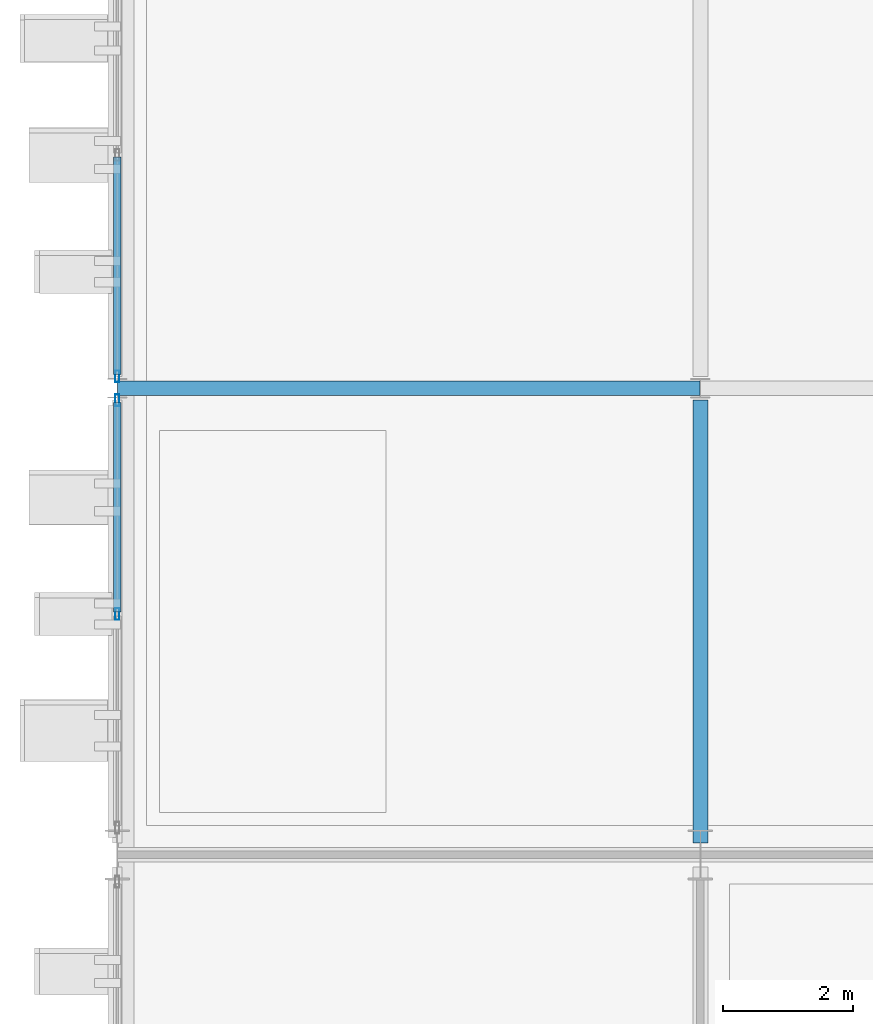
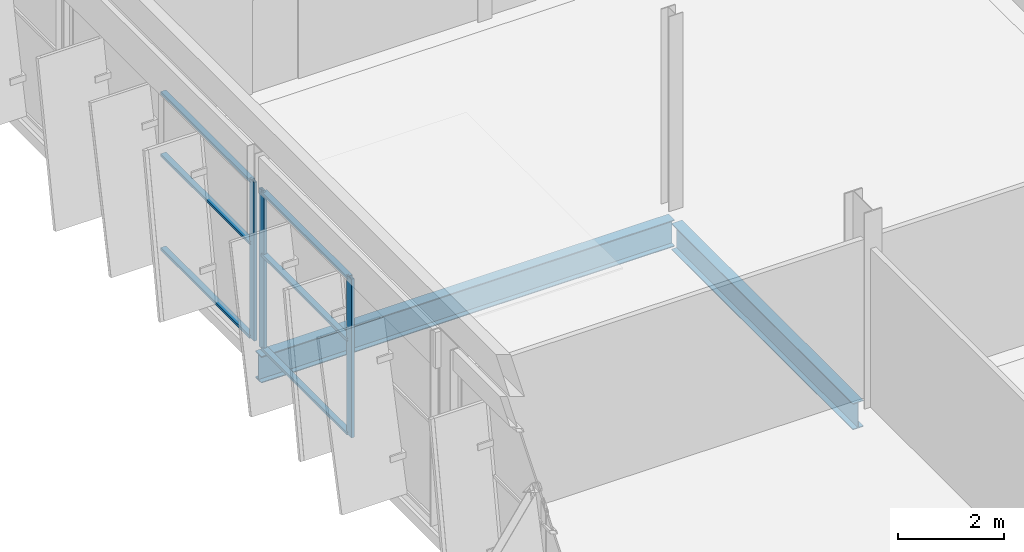
# One storey, part 11 of 52: 9 members, 2 beams, 2 elements without a shape of their own.
"""IFC4 building model written with IfcOpenShell, lengths in metres."""

from ifc_helpers import new_model, si_unit, direction, frame, origin, origin_2d, place, context, subcontext, project, spatial, hollow_rectangle, i_section, extrude, material, layer, layer_set, material_profile, profile_set, type_object, element, aggregate, save


model = new_model("IFC4")

# Units and contexts
model_context = context("Model", 3, precision=1e-05, world=origin(), true_north=direction((0.0, 1.0)))
body_context = subcontext(model_context, "Body", "Model", "MODEL_VIEW")
ifc_project = project(units=[si_unit("LENGTHUNIT", "METRE"), si_unit("AREAUNIT", "SQUARE_METRE"), si_unit("VOLUMEUNIT", "CUBIC_METRE"), si_unit("PLANEANGLEUNIT", "RADIAN"), si_unit("MASSUNIT", "GRAM", prefix="KILO")], contexts=[model_context])

# Site, building, storey
site_placement = place(None, origin())
site = spatial("IfcSite", under=ifc_project, at=site_placement, CompositionType="ELEMENT")
building_placement = place(site_placement, origin())
building = spatial("IfcBuilding", under=site, at=building_placement, Name="Celestram Park Convention Centre", CompositionType="ELEMENT")
storey_placement = place(building_placement, frame((0.0, 0.0, 24.300048828125)))
storey = spatial("IfcBuildingStorey", under=building, at=storey_placement, Name="L05", CompositionType="ELEMENT", Elevation=24.300048828125)

# Curtain wall, members
ifc_material_1 = material(Name="Anodised Aluminium Alloy 6063-T6", Category="aluminium")
ifc_layer_1 = layer(ifc_material_1, 0.179931640625)
ifc_layer_set_1 = layer_set([ifc_layer_1], Name="Anodised Aluminium Alloy 6063-T6")
curtain_wall_type_1 = type_object("IfcCurtainWallType", Name="ARC-CW-666X365", PredefinedType="NOTDEFINED", material=ifc_layer_set_1)
curtain_wall_1_placement = place(storey_placement, origin())
curtain_wall_1 = element("IfcCurtainWall", 1, at=curtain_wall_1_placement, inside=storey, type_object=curtain_wall_type_1, Name="Unitised curtain wall CU-L05-246", PredefinedType="NOTDEFINED")
ifc_material_profile_1 = material_profile(ifc_material_1, hollow_rectangle(XDim=0.06494140625, YDim=0.179931640625, WallThickness=0.00390625, at=origin_2d()), Name="ALU65X180X4")
ifc_profile_set_1 = profile_set([ifc_material_profile_1], Name="Anodised Aluminium Alloy 6063-T6")
member_type_1 = type_object("IfcMemberType", Name="ARC-CWM-150", PredefinedType="MULLION", material=ifc_profile_set_1)
member_1_placement = place(storey_placement, frame((36.0, 133.316162109375, 0.0), z_axis=(0.0, 0.0, 1.0), x_axis=(-1.0, 0.0, 0.0)))
member_1 = element("IfcMember", 2, at=member_1_placement, type_object=member_type_1, Name="CW-66X36 mullion 2", PredefinedType="MULLION", context=body_context, shape_type="SweptSolid", body=[
    extrude(hollow_rectangle(XDim=0.06494140625, YDim=0.179931640625, WallThickness=0.00390625, at=origin_2d()), origin(), (0.0, 0.0, 1.0), 3.64794921875),
])
member_2_placement = place(storey_placement, frame((36.0, 136.615966796875, 0.0), z_axis=(0.0, 0.0, 1.0), x_axis=(-1.0, 0.0, 0.0)))
member_2 = element("IfcMember", 3, at=member_2_placement, type_object=member_type_1, Name="CW-66X36 mullion 3", PredefinedType="MULLION", context=body_context, shape_type="SweptSolid", body=[
    extrude(hollow_rectangle(XDim=0.06494140625, YDim=0.179931640625, WallThickness=0.00390625, at=origin_2d()), origin(), (0.0, 0.0, 1.0), 3.64794921875),
])

# Curtain wall, member
ifc_layer_2 = layer(ifc_material_1, 0.179931640625)
ifc_layer_set_2 = layer_set([ifc_layer_2], Name="Anodised Aluminium Alloy 6063-T6")
curtain_wall_type_2 = type_object("IfcCurtainWallType", Name="ARC-CW-690X365", PredefinedType="NOTDEFINED", material=ifc_layer_set_2)
curtain_wall_2_placement = place(storey_placement, origin())
curtain_wall_2 = element("IfcCurtainWall", 4, at=curtain_wall_2_placement, inside=storey, type_object=curtain_wall_type_2, Name="Unitised curtain wall CU-L05-247", PredefinedType="NOTDEFINED")
member_3_placement = place(storey_placement, frame((36.0, 136.98388671875, 0.0), z_axis=(0.0, 0.0, 1.0), x_axis=(-1.0, 0.0, 0.0)))
member_3 = element("IfcMember", 5, at=member_3_placement, type_object=member_type_1, Name="CW-69X36 mullion 1", PredefinedType="MULLION", context=body_context, shape_type="SweptSolid", body=[
    extrude(hollow_rectangle(XDim=0.06494140625, YDim=0.179931640625, WallThickness=0.00390625, at=origin_2d()), origin(), (0.0, 0.0, 1.0), 3.64794921875),
])

# Member
ifc_material_profile_2 = material_profile(ifc_material_1, hollow_rectangle(XDim=0.1201171875, YDim=0.06005859375, WallThickness=0.0029296875, at=origin_2d()), Name="ALU120X60X3")
ifc_profile_set_2 = profile_set([ifc_material_profile_2], Name="Anodised Aluminium Alloy 6063-T6")
member_type_2 = type_object("IfcMemberType", Name="ARC-CWT-120", PredefinedType="USERDEFINED", material=ifc_profile_set_2)
member_4_placement = place(storey_placement, frame((36.0, 133.3486328125, 0.030029296875), z_axis=(0.0, 1.0, 0.0), x_axis=(-1.0, 0.0, 0.0)))
member_4 = element("IfcMember", 6, at=member_4_placement, type_object=member_type_2, Name="CW-66X36 transom 2.1", ObjectType="TRANSOM", PredefinedType="USERDEFINED", context=body_context, shape_type="SweptSolid", body=[
    extrude(hollow_rectangle(XDim=0.1201171875, YDim=0.06005859375, WallThickness=0.0029296875, at=origin_2d()), origin(), (0.0, 0.0, 1.0), 3.23486328125),
])

member_5_placement = place(storey_placement, frame((36.0, 133.3486328125, 2.18896484375), z_axis=(0.0, 1.0, 0.0), x_axis=(-1.0, 0.0, 0.0)))
member_5 = element("IfcMember", 7, at=member_5_placement, type_object=member_type_2, Name="CW-66X36 transom 2.2", ObjectType="TRANSOM", PredefinedType="USERDEFINED", context=body_context, shape_type="SweptSolid", body=[
    extrude(hollow_rectangle(XDim=0.1201171875, YDim=0.06005859375, WallThickness=0.0029296875, at=origin_2d()), origin(), (0.0, 0.0, 1.0), 3.23486328125),
])

member_6_placement = place(storey_placement, frame((36.0, 133.3486328125, 3.617919921875), z_axis=(0.0, 1.0, 0.0), x_axis=(-1.0, 0.0, 0.0)))
member_6 = element("IfcMember", 8, at=member_6_placement, type_object=member_type_2, Name="CW-66X36 transom 2.3", ObjectType="TRANSOM", PredefinedType="USERDEFINED", context=body_context, shape_type="SweptSolid", body=[
    extrude(hollow_rectangle(XDim=0.1201171875, YDim=0.06005859375, WallThickness=0.0029296875, at=origin_2d()), origin(), (0.0, 0.0, 1.0), 3.23486328125),
])

aggregate(curtain_wall_1, [member_1, member_2, member_4, member_5, member_6])

member_7_placement = place(storey_placement, frame((36.0, 137.0166015625, 0.030029296875), z_axis=(0.0, 1.0, 0.0), x_axis=(-1.0, 0.0, 0.0)))
member_7 = element("IfcMember", 9, at=member_7_placement, type_object=member_type_2, Name="CW-69X36 transom 1.1", ObjectType="TRANSOM", PredefinedType="USERDEFINED", context=body_context, shape_type="SweptSolid", body=[
    extrude(hollow_rectangle(XDim=0.1201171875, YDim=0.06005859375, WallThickness=0.0029296875, at=origin_2d()), origin(), (0.0, 0.0, 1.0), 3.350830078125),
])

member_8_placement = place(storey_placement, frame((36.0, 137.0166015625, 2.18896484375), z_axis=(0.0, 1.0, 0.0), x_axis=(-1.0, 0.0, 0.0)))
member_8 = element("IfcMember", 10, at=member_8_placement, type_object=member_type_2, Name="CW-69X36 transom 1.2", ObjectType="TRANSOM", PredefinedType="USERDEFINED", context=body_context, shape_type="SweptSolid", body=[
    extrude(hollow_rectangle(XDim=0.1201171875, YDim=0.06005859375, WallThickness=0.0029296875, at=origin_2d()), origin(), (0.0, 0.0, 1.0), 3.350830078125),
])

member_9_placement = place(storey_placement, frame((36.0, 137.0166015625, 3.617919921875), z_axis=(0.0, 1.0, 0.0), x_axis=(-1.0, 0.0, 0.0)))
member_9 = element("IfcMember", 11, at=member_9_placement, type_object=member_type_2, Name="CW-69X36 transom 1.3", ObjectType="TRANSOM", PredefinedType="USERDEFINED", context=body_context, shape_type="SweptSolid", body=[
    extrude(hollow_rectangle(XDim=0.1201171875, YDim=0.06005859375, WallThickness=0.0029296875, at=origin_2d()), origin(), (0.0, 0.0, 1.0), 3.350830078125),
])

aggregate(curtain_wall_2, [member_3, member_7, member_8, member_9])

# Beams
ifc_material_2 = material(Name="Steel ASTM A992 Grade 50", Category="steel")
ifc_material_profile_3 = material_profile(ifc_material_2, i_section(OverallWidth=0.22900390625, OverallDepth=0.612060546875, WebThickness=0.011962890625, FlangeThickness=0.01953125, at=origin_2d()), Name="W24X84")
ifc_profile_set_3 = profile_set([ifc_material_profile_3], Name="Steel ASTM A992 Grade 50")
beam_type = type_object("IfcBeamType", Name="STR-BM-W24X84", PredefinedType="BEAM", material=ifc_profile_set_3)
beam_1_placement = place(storey_placement, frame((36.006103515625, 136.800048828125, -0.546142578125), z_axis=(1.0, 0.0, 0.0), x_axis=(0.0, 1.0, 0.0)))
element("IfcBeam", 12, at=beam_1_placement, inside=storey, type_object=beam_type, Name="Primary X-girder BG-L05-0008", PredefinedType="BEAM", context=body_context, shape_type="SweptSolid", body=[
    extrude(i_section(OverallWidth=0.22900390625, OverallDepth=0.612060546875, WebThickness=0.011962890625, FlangeThickness=0.01953125, at=origin_2d()), origin(), (0.0, 0.0, 1.0), 8.98779296875),
])
beam_2_placement = place(storey_placement, frame((45.0, 129.784423828125, -0.546142578125), z_axis=(0.0, 1.0, 0.0), x_axis=(-1.0, 0.0, 0.0)))
element("IfcBeam", 13, at=beam_2_placement, inside=storey, type_object=beam_type, Name="Primary Y-girder BG-L05-0021", PredefinedType="BEAM", context=body_context, shape_type="SweptSolid", body=[
    extrude(i_section(OverallWidth=0.22900390625, OverallDepth=0.612060546875, WebThickness=0.011962890625, FlangeThickness=0.01953125, at=origin_2d()), origin(), (0.0, 0.0, 1.0), 6.8310546875),
])

save(model, "model.ifc")
